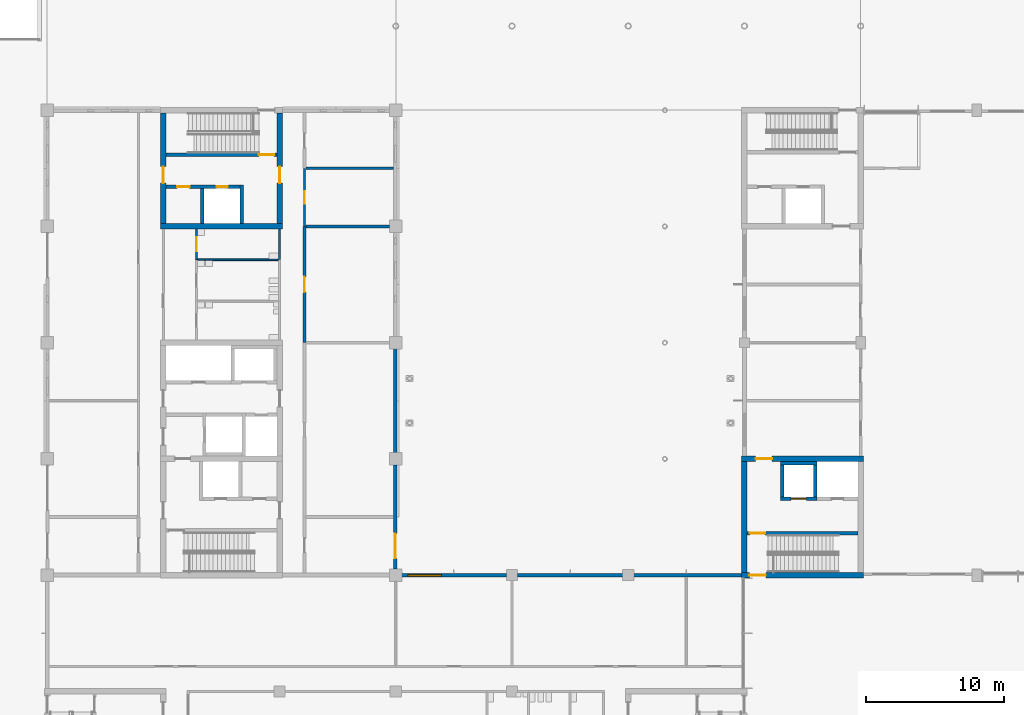
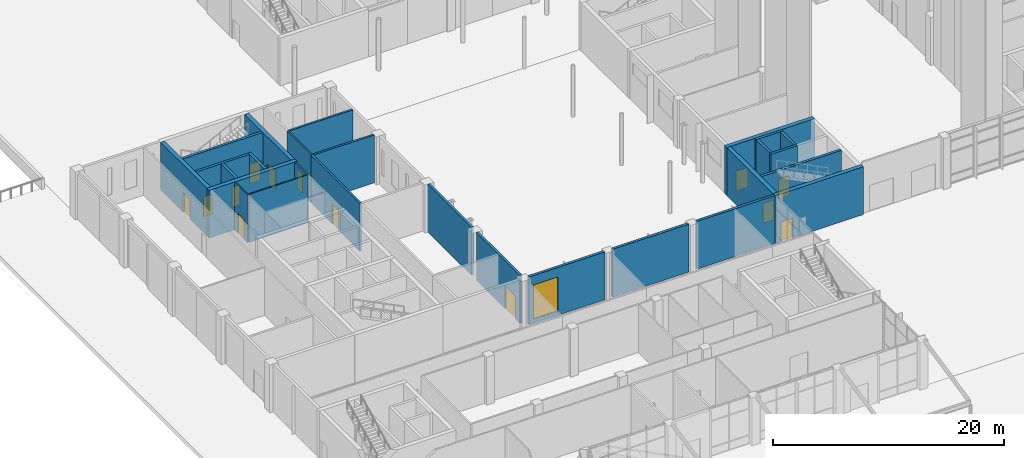
# One storey, part 36 of 76: 27 walls, 13 doors, 1 window, 14 openings.
"""IFC4 building model written with IfcOpenShell, lengths in metres."""

import ifcopenshell
import ifcopenshell.guid

model = None  # the IFC model being written
_history = None  # IfcOwnerHistory: only IFC2X3 demands one
_inside = {}  # id of a spatial element -> (the spatial element, [elements in it])
_under = {}  # id of a project, library or spatial element -> (it, [spatial elements below it])
_declared = {}  # id of a project -> (the project, [libraries it declares])
_typed = {}  # id of a type object -> (the type object, [elements of that type])
_made_of = {}  # id of a material, layer set ... -> (it, [elements and type objects made of it])


def new_model(schema):
    """Start an empty IFC model of exactly this schema.

    Asked for "IFC4X3", IfcOpenShell would pick the latest addendum, in which some entities
    have other attributes; the version numbers below select the first issue.
    IFC2X3 requires an IfcOwnerHistory on every rooted entity: one is made here for all.
    """
    global model, _history
    if schema == "IFC4X3":
        model = ifcopenshell.file(schema_version=(4, 3, 0, 0))
    else:
        model = ifcopenshell.file(schema=schema)
    _inside.clear()
    _under.clear()
    _declared.clear()
    _typed.clear()
    _made_of.clear()
    _history = None
    if model.schema == "IFC2X3":
        org = make("IfcOrganization", Name="unknown")
        user = make(
            "IfcPersonAndOrganization",
            ThePerson=make("IfcPerson", FamilyName="unknown"),
            TheOrganization=org,
        )
        app = make(
            "IfcApplication",
            ApplicationDeveloper=org,
            Version="unknown",
            ApplicationFullName="unknown",
            ApplicationIdentifier="unknown",
        )
        _history = make(
            "IfcOwnerHistory",
            OwningUser=user,
            OwningApplication=app,
            ChangeAction="ADDED",
            CreationDate=0,
        )
    return model


def make(cls, **values):
    """One entity of the class cls with the attributes given. An attribute that is None is left unset."""
    return model.create_entity(
        cls, **{name: value for name, value in values.items() if value is not None}
    )


def rooted(cls, **values):
    """An entity with a GlobalId (a new one), such as an element, a storey or a relation."""
    return make(cls, GlobalId=ifcopenshell.guid.new(), OwnerHistory=_history, **values)


def si_unit(unit_type, name, prefix=None):
    """IfcSIUnit, for example si_unit("LENGTHUNIT", "METRE", prefix="MILLI")."""
    return make("IfcSIUnit", UnitType=unit_type, Prefix=prefix, Name=name)


def assignment(units):
    """IfcUnitAssignment: the units of a project."""
    return None if units is None else make("IfcUnitAssignment", Units=units)


def point(xyz):
    """IfcCartesianPoint."""
    return None if xyz is None else make("IfcCartesianPoint", Coordinates=xyz)


def direction(xyz):
    """IfcDirection."""
    return None if xyz is None else make("IfcDirection", DirectionRatios=xyz)


def frame(location, z_axis=None, x_axis=None):
    """IfcAxis2Placement3D, a coordinate frame: its origin and axes. An axis left out is left unset."""
    return make(
        "IfcAxis2Placement3D",
        Location=point(location),
        Axis=direction(z_axis),
        RefDirection=direction(x_axis),
    )


def frame_2d(location, x_axis=None):
    """IfcAxis2Placement2D, a coordinate frame in the plane: its origin and x axis."""
    return make(
        "IfcAxis2Placement2D", Location=point(location), RefDirection=direction(x_axis)
    )


def origin():
    """The frame at (0, 0, 0) with its axes left unset."""
    return frame((0.0, 0.0, 0.0))


def place(relative_to, where):
    """IfcLocalPlacement: puts the frame where relative to a parent placement (None: the world)."""
    return make(
        "IfcLocalPlacement", PlacementRelTo=relative_to, RelativePlacement=where
    )


def context(
    kind, dimensions, precision=None, world=None, true_north=None, identifier=None
):
    """IfcGeometricRepresentationContext, for example the 3D "Model" context."""
    return make(
        "IfcGeometricRepresentationContext",
        ContextIdentifier=identifier,
        ContextType=kind,
        CoordinateSpaceDimension=dimensions,
        Precision=precision,
        WorldCoordinateSystem=world,
        TrueNorth=true_north,
    )


def subcontext(parent, identifier, kind, view, scale=None):
    """IfcGeometricRepresentationSubContext, for example "Body" below "Model"."""
    return make(
        "IfcGeometricRepresentationSubContext",
        ContextIdentifier=identifier,
        ContextType=kind,
        ParentContext=parent,
        TargetScale=scale,
        TargetView=view,
    )


def project(units=None, contexts=None):
    """IfcProject with its units and contexts."""
    return rooted(
        "IfcProject",
        Name="project",
        RepresentationContexts=contexts,
        UnitsInContext=assignment(units),
    )


def spatial(cls, under=None, at=None, **own):
    """A site, building, storey or space (cls), placed at a placement, below another one or the project."""
    s = rooted(cls, ObjectPlacement=at, **own)
    if under is not None:
        _under.setdefault(under.id(), (under, []))[1].append(s)
    return s


def profile(cls, at=None, kind="AREA", **sizes):
    """A parametric profile (cls). Its sizes go by their IFC names, for example OverallWidth=200.0."""
    return make(cls, ProfileType=kind, Position=at, **sizes)


def rectangle(**sizes):
    """IfcRectangleProfileDef."""
    return profile("IfcRectangleProfileDef", **sizes)


def extrude(swept, where, along, depth):
    """IfcExtrudedAreaSolid: the profile swept, set in the frame where, extruded along a direction by depth."""
    return make(
        "IfcExtrudedAreaSolid",
        SweptArea=swept,
        Position=where,
        ExtrudedDirection=direction(along),
        Depth=depth,
    )


def shape(context_of_items, identifier, shape_type, items):
    """IfcShapeRepresentation: the items that make up one representation, for example the "Body"."""
    return make(
        "IfcShapeRepresentation",
        ContextOfItems=context_of_items,
        RepresentationIdentifier=identifier,
        RepresentationType=shape_type,
        Items=items,
    )


def material(Name=None, Category=None):
    """IfcMaterial."""
    return make("IfcMaterial", Name=Name, Category=Category)


def layer(
    of_material, thickness, ventilated=None, Name=None, Category=None, Priority=None
):
    """IfcMaterialLayer: one layer of a wall or slab, of a material (None: an air gap)."""
    return make(
        "IfcMaterialLayer",
        Material=of_material,
        LayerThickness=thickness,
        IsVentilated=ventilated,
        Name=Name,
        Category=Category,
        Priority=Priority,
    )


def layer_set(layers, Name=None):
    """IfcMaterialLayerSet."""
    return make("IfcMaterialLayerSet", MaterialLayers=layers, LayerSetName=Name)


def made_of(thing, what):
    """Note that an element or type object is made of a material, layer set ...; save() writes the relation."""
    if what is not None:
        _made_of.setdefault(what.id(), (what, []))[1].append(thing)
    return thing


def type_object(cls, material=None, **own):
    """A type object (cls), such as IfcWallType, which elements share."""
    return made_of(rooted(cls, **own), material)


def element(
    cls,
    number,
    at=None,
    inside=None,
    cuts=None,
    type_object=None,
    material=None,
    context=None,
    identifier="Body",
    shape_type=None,
    held_by="IfcProductDefinitionShape",
    body=None,
    shapes=None,
    **own,
):
    """One element of the class cls, such as IfcWall. Its Tag is "e" and its number.

    at: its placement. inside: the storey or other place that contains it. cuts: it is an
    opening in that element (IfcRelVoidsElement). A single representation is given by context,
    identifier, shape_type and body (its items); several are given by shapes. held_by: the class
    of the entity that holds the representations. save() writes the other relations.
    """
    e = rooted(cls, Tag="e%d" % number, ObjectPlacement=at, **own)
    if body is not None:
        shapes = [shape(context, identifier, shape_type, body)]
    if shapes is not None:
        e.Representation = make(held_by, Representations=shapes)
    if inside is not None:
        _inside.setdefault(inside.id(), (inside, []))[1].append(e)
    if cuts is not None:
        rooted(
            "IfcRelVoidsElement", RelatingBuildingElement=cuts, RelatedOpeningElement=e
        )
    if type_object is not None:
        _typed.setdefault(type_object.id(), (type_object, []))[1].append(e)
    return made_of(e, material)


def fill(opening, filler):
    """IfcRelFillsElement: the door or window that sits in an opening."""
    return rooted(
        "IfcRelFillsElement",
        RelatingOpeningElement=opening,
        RelatedBuildingElement=filler,
    )


def aggregate(whole, parts):
    """IfcRelAggregates: a whole, such as a stair, and the parts it consists of."""
    return rooted("IfcRelAggregates", RelatingObject=whole, RelatedObjects=parts)


def save(model, path):
    """Write the relations noted so far, then the file.

    IfcRelAggregates (storeys below a building ...), IfcRelContainedInSpatialStructure (elements
    in a storey), IfcRelDefinesByType, IfcRelAssociatesMaterial and IfcRelDeclares: one each for
    every whole, place, type object, material and project.
    """
    for whole, parts in _under.values():
        aggregate(whole, parts)
    for where, things in _inside.values():
        rooted(
            "IfcRelContainedInSpatialStructure",
            RelatedElements=things,
            RelatingStructure=where,
        )
    for kind, things in _typed.values():
        rooted("IfcRelDefinesByType", RelatedObjects=things, RelatingType=kind)
    for what, things in _made_of.values():
        rooted("IfcRelAssociatesMaterial", RelatedObjects=things, RelatingMaterial=what)
    for by, libraries in _declared.values():
        rooted("IfcRelDeclares", RelatingContext=by, RelatedDefinitions=libraries)
    model.write(path)


model = new_model("IFC4")

# Units and contexts
model_context = context("Model", 3, precision=1e-05, world=origin(), true_north=direction((0.0, 1.0)))
body_context = subcontext(model_context, "Body", "Model", "MODEL_VIEW")
ifc_project = project(units=[si_unit("LENGTHUNIT", "METRE"), si_unit("AREAUNIT", "SQUARE_METRE"), si_unit("VOLUMEUNIT", "CUBIC_METRE"), si_unit("PLANEANGLEUNIT", "RADIAN"), si_unit("MASSUNIT", "GRAM", prefix="KILO")], contexts=[model_context])

# Site, building, storey
site_placement = place(None, origin())
site = spatial("IfcSite", under=ifc_project, at=site_placement, CompositionType="ELEMENT")
building_placement = place(site_placement, origin())
building = spatial("IfcBuilding", under=site, at=building_placement, Name="Hlaing Beacon Police Headquarters", CompositionType="ELEMENT")
storey_placement = place(building_placement, origin())
storey = spatial("IfcBuildingStorey", under=building, at=storey_placement, Name="L00", CompositionType="ELEMENT", Elevation=0.0)

# Wall, opening, door
ifc_material_1 = material(Name="Concrete C60/75", Category="concrete")
ifc_layer_1 = layer(ifc_material_1, 0.39990234375)
ifc_layer_set_1 = layer_set([ifc_layer_1], Name="Concrete C60/75")
wall_type_1 = type_object("IfcWallType", Name="Core shear wall 400", PredefinedType="SHEAR", material=ifc_layer_set_1)
wall_1_placement = place(storey_placement, frame((58.60009765625, 33.60009765625, 0.0), z_axis=(0.0, 0.0, 1.0), x_axis=(1.0, 0.0, 0.0)))
wall_1 = element("IfcWall", 1, at=wall_1_placement, inside=storey, type_object=wall_type_1, Name="Core shear wall", PredefinedType="SHEAR", context=body_context, shape_type="SweptSolid", body=[
    extrude(rectangle(XDim=8.7998046875, YDim=0.39990234375, at=frame_2d((4.39990234375, 0.0))), origin(), (0.0, 0.0, 1.0), 5.050048828125),
])
opening_1_placement = place(wall_1_placement, frame((0.550048828125, 0.0, 0.0)))
opening_1 = element("IfcOpeningElement", 2, at=opening_1_placement, cuts=wall_1, Name="Opening L00-904", PredefinedType="OPENING", context=body_context, shape_type="SweptSolid", body=[
    extrude(rectangle(XDim=1.199951171875, YDim=2.10009765625, at=frame_2d((0.60009765625, 1.050048828125))), frame((0.0, 0.2099609375, 0.0), z_axis=(0.0, -1.0, 0.0), x_axis=(1.0, 0.0, 0.0)), (0.0, 0.0, 1.0), 0.419921875),
])
ifc_material_2 = material(Name="Steel fire door leaf", Category="steel")
ifc_layer_2 = layer(ifc_material_2, 0.070068359375)
ifc_layer_set_2 = layer_set([ifc_layer_2], Name="Steel fire door leaf")
door_type_1 = type_object("IfcDoorType", Name="Steel fire door FD60 1200x2100", OperationType="SINGLE_SWING_LEFT", PredefinedType="DOOR", material=ifc_layer_set_2)
door_1_placement = place(opening_1_placement, frame((1.199951171875, 0.0, 0.0), z_axis=(0.0, 0.0, 1.0), x_axis=(-1.0, 0.0, 0.0)))
door_1 = element("IfcDoor", 3, at=door_1_placement, inside=storey, type_object=door_type_1, Name="Door Stair ST-A Exit", OperationType="SINGLE_SWING_LEFT", OverallHeight=2.10009765625, OverallWidth=1.199951171875, PredefinedType="DOOR", context=body_context, shape_type="SweptSolid", body=[
    extrude(rectangle(XDim=1.199951171875, YDim=2.10009765625, at=frame_2d((0.599853515625, 1.050048828125))), frame((0.0, 0.034912109375, 0.0), z_axis=(0.0, -1.0, 0.0), x_axis=(1.0, 0.0, 0.0)), (0.0, 0.0, 1.0), 0.070068359375),
])
fill(opening_1, door_1)

wall_2_placement = place(storey_placement, frame((58.60009765625, 42.0, 0.0), z_axis=(0.0, 0.0, 1.0), x_axis=(1.0, 0.0, 0.0)))
wall_2 = element("IfcWall", 4, at=wall_2_placement, inside=storey, type_object=wall_type_1, Name="Core shear wall", PredefinedType="SHEAR", context=body_context, shape_type="SweptSolid", body=[
    extrude(rectangle(XDim=8.7998046875, YDim=0.39990234375, at=frame_2d((4.39990234375, 0.0))), origin(), (0.0, 0.0, 1.0), 5.050048828125),
])
opening_2_placement = place(wall_2_placement, frame((1.0, 0.0, 0.0)))
opening_2 = element("IfcOpeningElement", 5, at=opening_2_placement, cuts=wall_2, Name="Opening L00-901", PredefinedType="OPENING", context=body_context, shape_type="SweptSolid", body=[
    extrude(rectangle(XDim=1.199951171875, YDim=2.10009765625, at=frame_2d((0.60009765625, 1.050048828125))), frame((0.0, 0.2099609375, 0.0), z_axis=(0.0, -1.0, 0.0), x_axis=(1.0, 0.0, 0.0)), (0.0, 0.0, 1.0), 0.419921875),
])
ifc_material_3 = material(Name="Steel fire door leaf", Category="steel")
ifc_layer_3 = layer(ifc_material_3, 0.070068359375)
ifc_layer_set_3 = layer_set([ifc_layer_3], Name="Steel fire door leaf")
door_type_2 = type_object("IfcDoorType", Name="Steel fire door FD60S 1200x2100", OperationType="SINGLE_SWING_LEFT", PredefinedType="DOOR", material=ifc_layer_set_3)
door_2_placement = place(opening_2_placement, frame((1.199951171875, 0.0, 0.0), z_axis=(0.0, 0.0, 1.0), x_axis=(-1.0, 0.0, 0.0)))
door_2 = element("IfcDoor", 6, at=door_2_placement, inside=storey, type_object=door_type_2, Name="Door Lift and Stair Lobby ST-A Entry", OperationType="SINGLE_SWING_RIGHT", OverallHeight=2.10009765625, OverallWidth=1.199951171875, PredefinedType="DOOR", context=body_context, shape_type="SweptSolid", body=[
    extrude(rectangle(XDim=1.199951171875, YDim=2.10009765625, at=frame_2d((0.599853515625, 1.050048828125))), frame((0.0, 0.034912109375, 0.0), z_axis=(0.0, -1.0, 0.0), x_axis=(1.0, 0.0, 0.0)), (0.0, 0.0, 1.0), 0.070068359375),
])
fill(opening_2, door_2)

# Walls
wall_3_placement = place(storey_placement, frame((58.800048828125, 33.800048828125, 0.0), z_axis=(0.0, 0.0, 1.0), x_axis=(0.0, 1.0, 0.0)))
element("IfcWall", 7, at=wall_3_placement, inside=storey, type_object=wall_type_1, Name="Core shear wall", PredefinedType="SHEAR", context=body_context, shape_type="SweptSolid", body=[
    extrude(rectangle(XDim=8.0, YDim=0.39990234375, at=frame_2d((4.0, 0.0))), origin(), (0.0, 0.0, 1.0), 5.050048828125),
])
wall_4_placement = place(storey_placement, frame((16.60009765625, 58.800048828125, 0.0), z_axis=(0.0, 0.0, 1.0), x_axis=(1.0, 0.0, 0.0)))
element("IfcWall", 8, at=wall_4_placement, inside=storey, type_object=wall_type_1, Name="Core shear wall", PredefinedType="SHEAR", context=body_context, shape_type="SweptSolid", body=[
    extrude(rectangle(XDim=8.7998046875, YDim=0.39990234375, at=frame_2d((4.39990234375, 0.0))), origin(), (0.0, 0.0, 1.0), 5.050048828125),
])

# Wall, opening, door
wall_5_placement = place(storey_placement, frame((16.800048828125, 59.0, 0.0), z_axis=(0.0, 0.0, 1.0), x_axis=(0.0, 1.0, 0.0)))
wall_5 = element("IfcWall", 9, at=wall_5_placement, inside=storey, type_object=wall_type_1, Name="Core shear wall", PredefinedType="SHEAR", context=body_context, shape_type="SweptSolid", body=[
    extrude(rectangle(XDim=8.0, YDim=0.39990234375, at=frame_2d((4.0, 0.0))), origin(), (0.0, 0.0, 1.0), 5.050048828125),
])
opening_3_placement = place(wall_5_placement, frame((2.925048828125, 0.0, 0.0)))
opening_3 = element("IfcOpeningElement", 10, at=opening_3_placement, cuts=wall_5, Name="Opening L00-967", PredefinedType="OPENING", context=body_context, shape_type="SweptSolid", body=[
    extrude(rectangle(XDim=1.199951171875, YDim=2.10009765625, at=frame_2d((0.60009765625, 1.050048828125))), frame((0.0, 0.2099609375, 0.0), z_axis=(0.0, -1.0, 0.0), x_axis=(1.0, 0.0, 0.0)), (0.0, 0.0, 1.0), 0.419921875),
])
door_3_placement = place(opening_3_placement, frame((1.199951171875, 0.0, 0.0), z_axis=(0.0, 0.0, 1.0), x_axis=(-1.0, 0.0, 0.0)))
door_3 = element("IfcDoor", 11, at=door_3_placement, inside=storey, type_object=door_type_2, Name="Door Stair Lobby ST-P Entry", OperationType="SINGLE_SWING_LEFT", OverallHeight=2.10009765625, OverallWidth=1.199951171875, PredefinedType="DOOR", context=body_context, shape_type="SweptSolid", body=[
    extrude(rectangle(XDim=1.199951171875, YDim=2.10009765625, at=frame_2d((0.599853515625, 1.050048828125))), frame((0.0, 0.034912109375, 0.0), z_axis=(0.0, -1.0, 0.0), x_axis=(1.0, 0.0, 0.0)), (0.0, 0.0, 1.0), 0.070068359375),
])
fill(opening_3, door_3)

wall_6_placement = place(storey_placement, frame((25.199951171875, 59.0, 0.0), z_axis=(0.0, 0.0, 1.0), x_axis=(0.0, 1.0, 0.0)))
wall_6 = element("IfcWall", 12, at=wall_6_placement, inside=storey, type_object=wall_type_1, Name="Core shear wall", PredefinedType="SHEAR", context=body_context, shape_type="SweptSolid", body=[
    extrude(rectangle(XDim=8.0, YDim=0.39990234375, at=frame_2d((4.0, 0.0))), origin(), (0.0, 0.0, 1.0), 5.050048828125),
])
opening_4_placement = place(wall_6_placement, frame((2.925048828125, 0.0, 0.0)))
opening_4 = element("IfcOpeningElement", 13, at=opening_4_placement, cuts=wall_6, Name="Opening L00-968", PredefinedType="OPENING", context=body_context, shape_type="SweptSolid", body=[
    extrude(rectangle(XDim=1.199951171875, YDim=2.10009765625, at=frame_2d((0.60009765625, 1.050048828125))), frame((0.0, 0.2099609375, 0.0), z_axis=(0.0, -1.0, 0.0), x_axis=(1.0, 0.0, 0.0)), (0.0, 0.0, 1.0), 0.419921875),
])
door_4_placement = place(opening_4_placement, origin())
door_4 = element("IfcDoor", 14, at=door_4_placement, inside=storey, type_object=door_type_2, Name="Door Stair Lobby ST-P Entry", OperationType="SINGLE_SWING_RIGHT", OverallHeight=2.10009765625, OverallWidth=1.199951171875, PredefinedType="DOOR", context=body_context, shape_type="SweptSolid", body=[
    extrude(rectangle(XDim=1.199951171875, YDim=2.10009765625, at=frame_2d((0.60009765625, 1.050048828125))), frame((0.0, 0.03515625, 0.0), z_axis=(0.0, -1.0, 0.0), x_axis=(1.0, 0.0, 0.0)), (0.0, 0.0, 1.0), 0.070068359375),
])
fill(opening_4, door_4)

ifc_material_4 = material(Name="Gypsum board partition")
ifc_layer_4 = layer(ifc_material_4, 0.14990234375)
ifc_layer_set_4 = layer_set([ifc_layer_4], Name="Gypsum board partition")
wall_type_2 = type_object("IfcWallType", Name="Corridor wall EI 30 150", PredefinedType="PARTITIONING", material=ifc_layer_set_4)
wall_7_placement = place(storey_placement, frame((27.0, 58.800048828125, 0.0), z_axis=(0.0, 0.0, 1.0), x_axis=(0.0, 1.0, 0.0)))
wall_7 = element("IfcWall", 15, at=wall_7_placement, inside=storey, type_object=wall_type_2, Name="Corridor wall EI 30 150", PredefinedType="PARTITIONING", context=body_context, shape_type="SweptSolid", body=[
    extrude(rectangle(XDim=4.199951171875, YDim=0.14990234375, at=frame_2d((2.10009765625, 0.0))), origin(), (0.0, 0.0, 1.0), 5.050048828125),
])
opening_5_placement = place(wall_7_placement, frame((1.64990234375, 0.0, 0.0)))
opening_5 = element("IfcOpeningElement", 16, at=opening_5_placement, cuts=wall_7, Name="Opening L00-067", PredefinedType="OPENING", context=body_context, shape_type="SweptSolid", body=[
    extrude(rectangle(XDim=0.89990234375, YDim=2.10009765625, at=frame_2d((0.449951171875, 1.050048828125))), frame((0.0, 0.0849609375, 0.0), z_axis=(0.0, -1.0, 0.0), x_axis=(1.0, 0.0, 0.0)), (0.0, 0.0, 1.0), 0.169921875),
])
ifc_material_5 = material(Name="Hardwood door leaf", Category="wood")
ifc_layer_5 = layer(ifc_material_5, 0.050048828125)
ifc_layer_set_5 = layer_set([ifc_layer_5], Name="Hardwood door leaf")
door_type_3 = type_object("IfcDoorType", Name="Fire door FD30S 900x2100", OperationType="SINGLE_SWING_LEFT", PredefinedType="DOOR", material=ifc_layer_set_5)
door_5_placement = place(opening_5_placement, frame((0.89990234375, 0.0, 0.0), z_axis=(0.0, 0.0, 1.0), x_axis=(-1.0, 0.0, 0.0)))
door_5 = element("IfcDoor", 17, at=door_5_placement, inside=storey, type_object=door_type_3, Name="Door Exhibit Cold Store", OperationType="SINGLE_SWING_LEFT", OverallHeight=2.10009765625, OverallWidth=0.89990234375, PredefinedType="DOOR", context=body_context, shape_type="SweptSolid", body=[
    extrude(rectangle(XDim=0.89990234375, YDim=2.10009765625, at=frame_2d((0.449951171875, 1.050048828125))), frame((0.0, 0.025146484375, 0.0), z_axis=(0.0, -1.0, 0.0), x_axis=(1.0, 0.0, 0.0)), (0.0, 0.0, 1.0), 0.050048828125),
])
fill(opening_5, door_5)

# Wall
wall_8_placement = place(storey_placement, frame((25.199951171875, 56.39990234375, 0.0), z_axis=(0.0, 0.0, 1.0), x_axis=(0.0, 1.0, 0.0)))
element("IfcWall", 18, at=wall_8_placement, inside=storey, type_object=wall_type_2, Name="Corridor wall EI 30 150", PredefinedType="PARTITIONING", context=body_context, shape_type="SweptSolid", body=[
    extrude(rectangle(XDim=2.2001953125, YDim=0.14990234375, at=frame_2d((1.10009765625, 0.0))), origin(), (0.0, 0.0, 1.0), 5.050048828125),
])

# Wall, opening, door
ifc_material_6 = material(Name="Concrete blockwork 7.5 N/mm2", Category="masonry")
ifc_layer_6 = layer(ifc_material_6, 0.199951171875)
ifc_layer_set_6 = layer_set([ifc_layer_6], Name="Concrete blockwork 7.5 N/mm2")
wall_type_3 = type_object("IfcWallType", Name="Laboratory wall EI 60 200", PredefinedType="PARTITIONING", material=ifc_layer_set_6)
wall_9_placement = place(storey_placement, frame((27.0, 50.39990234375, 0.0), z_axis=(0.0, 0.0, 1.0), x_axis=(0.0, 1.0, 0.0)))
wall_9 = element("IfcWall", 19, at=wall_9_placement, inside=storey, type_object=wall_type_3, Name="Laboratory wall EI 60 200", PredefinedType="PARTITIONING", context=body_context, shape_type="SweptSolid", body=[
    extrude(rectangle(XDim=8.400146484375, YDim=0.199951171875, at=frame_2d((4.2001953125, 0.0))), origin(), (0.0, 0.0, 1.0), 5.050048828125),
])
opening_6_placement = place(wall_9_placement, frame((3.64990234375, 0.0, 0.0)))
opening_6 = element("IfcOpeningElement", 20, at=opening_6_placement, cuts=wall_9, Name="Opening L00-066", PredefinedType="OPENING", context=body_context, shape_type="SweptSolid", body=[
    extrude(rectangle(XDim=1.10009765625, YDim=2.10009765625, at=frame_2d((0.550048828125, 1.050048828125))), frame((0.0, 0.10986328125, 0.0), z_axis=(0.0, -1.0, 0.0), x_axis=(1.0, 0.0, 0.0)), (0.0, 0.0, 1.0), 0.219970703125),
])
ifc_material_7 = material(Name="Hardwood door leaf", Category="wood")
ifc_layer_7 = layer(ifc_material_7, 0.050048828125)
ifc_layer_set_7 = layer_set([ifc_layer_7], Name="Hardwood door leaf")
door_type_4 = type_object("IfcDoorType", Name="Fire door FD30 1100x2100", OperationType="SINGLE_SWING_LEFT", PredefinedType="DOOR", material=ifc_layer_set_7)
door_6_placement = place(opening_6_placement, frame((1.10009765625, 0.0, 0.0), z_axis=(0.0, 0.0, 1.0), x_axis=(-1.0, 0.0, 0.0)))
door_6 = element("IfcDoor", 21, at=door_6_placement, inside=storey, type_object=door_type_4, Name="Door Specimen Intake Laboratory", OperationType="SINGLE_SWING_RIGHT", OverallHeight=2.10009765625, OverallWidth=1.10009765625, PredefinedType="DOOR", context=body_context, shape_type="SweptSolid", body=[
    extrude(rectangle(XDim=1.10009765625, YDim=2.10009765625, at=frame_2d((0.550048828125, 1.050048828125))), frame((0.0, 0.025146484375, 0.0), z_axis=(0.0, -1.0, 0.0), x_axis=(1.0, 0.0, 0.0)), (0.0, 0.0, 1.0), 0.050048828125),
])
fill(opening_6, door_6)

# Walls
wall_10_placement = place(storey_placement, frame((27.10009765625, 58.800048828125, 0.0), z_axis=(0.0, 0.0, 1.0), x_axis=(1.0, 0.0, 0.0)))
element("IfcWall", 22, at=wall_10_placement, inside=storey, type_object=wall_type_3, Name="Laboratory wall EI 60 200", PredefinedType="PARTITIONING", context=body_context, shape_type="SweptSolid", body=[
    extrude(rectangle(XDim=6.0498046875, YDim=0.199951171875, at=frame_2d((3.02490234375, 0.0))), origin(), (0.0, 0.0, 1.0), 5.050048828125),
])
wall_11_placement = place(storey_placement, frame((27.10009765625, 63.0, 0.0), z_axis=(0.0, 0.0, 1.0), x_axis=(1.0, 0.0, 0.0)))
element("IfcWall", 23, at=wall_11_placement, inside=storey, type_object=wall_type_3, Name="Laboratory wall EI 60 200", PredefinedType="PARTITIONING", context=body_context, shape_type="SweptSolid", body=[
    extrude(rectangle(XDim=6.349853515625, YDim=0.199951171875, at=frame_2d((3.1748046875, 0.0))), origin(), (0.0, 0.0, 1.0), 5.050048828125),
])
ifc_material_8 = material(Name="Gypsum board partition")
ifc_layer_8 = layer(ifc_material_8, 0.125)
ifc_layer_set_8 = layer_set([ifc_layer_8], Name="Gypsum board partition")
wall_type_4 = type_object("IfcWallType", Name="Partition 125", PredefinedType="PARTITIONING", material=ifc_layer_set_8)
wall_12_placement = place(storey_placement, frame((19.261962890625, 56.39990234375, 0.0), z_axis=(0.0, 0.0, 1.0), x_axis=(1.0, 0.0, 0.0)))
element("IfcWall", 24, at=wall_12_placement, inside=storey, type_object=wall_type_4, Name="Partition 125", PredefinedType="PARTITIONING", context=body_context, shape_type="SweptSolid", body=[
    extrude(rectangle(XDim=5.863037109375, YDim=0.125, at=frame_2d((2.931640625, 0.0))), origin(), (0.0, 0.0, 1.0), 5.050048828125),
])

# Wall, opening, door
wall_13_placement = place(storey_placement, frame((19.199951171875, 56.39990234375, 0.0), z_axis=(0.0, 0.0, 1.0), x_axis=(0.0, 1.0, 0.0)))
wall_13 = element("IfcWall", 25, at=wall_13_placement, inside=storey, type_object=wall_type_4, Name="Partition 125", PredefinedType="PARTITIONING", context=body_context, shape_type="SweptSolid", body=[
    extrude(rectangle(XDim=2.2001953125, YDim=0.125, at=frame_2d((1.10009765625, 0.0))), origin(), (0.0, 0.0, 1.0), 5.050048828125),
])
opening_7_placement = place(wall_13_placement, frame((0.60009765625, 0.0, 0.0)))
opening_7 = element("IfcOpeningElement", 26, at=opening_7_placement, cuts=wall_13, Name="Opening L00-069", PredefinedType="OPENING", context=body_context, shape_type="SweptSolid", body=[
    extrude(rectangle(XDim=1.0, YDim=2.10009765625, at=frame_2d((0.5, 1.050048828125))), frame((0.0, 0.072509765625, 0.0), z_axis=(0.0, -1.0, 0.0), x_axis=(1.0, 0.0, 0.0)), (0.0, 0.0, 1.0), 0.14501953125),
])
ifc_material_9 = material(Name="Hardwood door leaf", Category="wood")
ifc_layer_9 = layer(ifc_material_9, 0.0400390625)
ifc_layer_set_9 = layer_set([ifc_layer_9], Name="Hardwood door leaf")
door_type_5 = type_object("IfcDoorType", Name="Door 1000x2100", OperationType="SINGLE_SWING_LEFT", PredefinedType="DOOR", material=ifc_layer_set_9)
door_7_placement = place(opening_7_placement, frame((1.0, 0.0, 0.0), z_axis=(0.0, 0.0, 1.0), x_axis=(-1.0, 0.0, 0.0)))
door_7 = element("IfcDoor", 27, at=door_7_placement, inside=storey, type_object=door_type_5, Name="Door Accessible WC", OperationType="SINGLE_SWING_LEFT", OverallHeight=2.10009765625, OverallWidth=1.0, PredefinedType="DOOR", context=body_context, shape_type="SweptSolid", body=[
    extrude(rectangle(XDim=1.0, YDim=2.10009765625, at=frame_2d((0.5, 1.050048828125))), frame((0.0, 0.02001953125, 0.0), z_axis=(0.0, -1.0, 0.0), x_axis=(1.0, 0.0, 0.0)), (0.0, 0.0, 1.0), 0.0400390625),
])
fill(opening_7, door_7)

# Walls
ifc_material_10 = material(Name="Concrete C40/50 precast ribbed cladding", Category="concrete")
ifc_layer_10 = layer(ifc_material_10, 0.25)
ifc_layer_set_10 = layer_set([ifc_layer_10], Name="Concrete C40/50 precast ribbed cladding")
wall_type_5 = type_object("IfcWallType", Name="Precast ribbed wall 250", PredefinedType="SOLIDWALL", material=ifc_layer_set_10)
wall_14_placement = place(storey_placement, frame((58.60009765625, 33.574951171875, 0.0), z_axis=(0.0, 0.0, 1.0), x_axis=(-1.0, 0.0, 0.0)))
element("IfcWall", 28, at=wall_14_placement, inside=storey, type_object=wall_type_5, Name="External wall L00 N001", PredefinedType="SOLIDWALL", context=body_context, shape_type="SweptSolid", body=[
    extrude(rectangle(XDim=7.820068359375, YDim=0.25, at=frame_2d((3.91015625, 0.0))), origin(), (0.0, 0.0, 1.0), 5.050048828125),
])
wall_15_placement = place(storey_placement, frame((50.02001953125, 33.574951171875, 0.0), z_axis=(0.0, 0.0, 1.0), x_axis=(-1.0, 0.0, 0.0)))
element("IfcWall", 29, at=wall_15_placement, inside=storey, type_object=wall_type_5, Name="External wall L00 N002", PredefinedType="SOLIDWALL", context=body_context, shape_type="SweptSolid", body=[
    extrude(rectangle(XDim=7.64013671875, YDim=0.25, at=frame_2d((3.820068359375, 0.0))), origin(), (0.0, 0.0, 1.0), 5.050048828125),
])

# Wall, opening, window
wall_16_placement = place(storey_placement, frame((41.6201171875, 33.574951171875, 0.0), z_axis=(0.0, 0.0, 1.0), x_axis=(-1.0, 0.0, 0.0)))
wall_16 = element("IfcWall", 30, at=wall_16_placement, inside=storey, type_object=wall_type_5, Name="External wall L00 N003", PredefinedType="SOLIDWALL", context=body_context, shape_type="SweptSolid", body=[
    extrude(rectangle(XDim=7.590087890625, YDim=0.25, at=frame_2d((3.794921875, 0.0))), origin(), (0.0, 0.0, 1.0), 5.050048828125),
])
opening_8_placement = place(wall_16_placement, frame((4.719970703125, 0.0, 0.449951171875)))
opening_8 = element("IfcOpeningElement", 31, at=opening_8_placement, cuts=wall_16, Name="Opening WN1", PredefinedType="OPENING", context=body_context, shape_type="SweptSolid", body=[
    extrude(rectangle(XDim=2.39990234375, YDim=3.60009765625, at=frame_2d((1.199951171875, 1.800048828125))), frame((0.0, 0.135009765625, 0.0), z_axis=(0.0, -1.0, 0.0), x_axis=(1.0, 0.0, 0.0)), (0.0, 0.0, 1.0), 0.27001953125),
])
ifc_material_11 = material(Name="Aluminium frame with solar control glazing", Category="aluminium")
window_type = type_object("IfcWindowType", Name="Shopfront window 2400x3600 frame 100", PartitioningType="SINGLE_PANEL", PredefinedType="WINDOW", material=ifc_material_11)
window_placement = place(opening_8_placement, origin())
window = element("IfcWindow", 32, at=window_placement, inside=storey, type_object=window_type, Name="Window L00 WB", OverallHeight=3.60009765625, OverallWidth=2.39990234375, PartitioningType="SINGLE_PANEL", PredefinedType="WINDOW", context=body_context, shape_type="SweptSolid", body=[
    extrude(rectangle(XDim=2.39990234375, YDim=3.60009765625, at=frame_2d((1.199951171875, 1.800048828125))), frame((0.0, 0.050048828125, 0.0), z_axis=(0.0, -1.0, 0.0), x_axis=(1.0, 0.0, 0.0)), (0.0, 0.0, 1.0), 0.10009765625),
])
fill(opening_8, window)

# Wall, opening, door
ifc_material_12 = material(Name="Fibre cement ribbed cladding on insulated frame")
ifc_layer_11 = layer(ifc_material_12, 0.22509765625)
ifc_layer_set_11 = layer_set([ifc_layer_11], Name="Fibre cement ribbed cladding on insulated frame")
wall_type_6 = type_object("IfcWallType", Name="Ribbed fibre-cement clad wall 225", PredefinedType="SOLIDWALL", material=ifc_layer_set_11)
wall_17_placement = place(storey_placement, frame((33.5625, 34.030029296875, 0.0), z_axis=(0.0, 0.0, 1.0), x_axis=(0.0, 1.0, 0.0)))
wall_17 = element("IfcWall", 33, at=wall_17_placement, inside=storey, type_object=wall_type_6, Name="External wall L00 E004", PredefinedType="SOLIDWALL", context=body_context, shape_type="SweptSolid", body=[
    extrude(rectangle(XDim=7.5400390625, YDim=0.22509765625, at=frame_2d((3.77001953125, 0.0))), origin(), (0.0, 0.0, 1.0), 5.050048828125),
])
opening_9_placement = place(wall_17_placement, frame((0.77001953125, 0.0, 0.0)))
opening_9 = element("IfcOpeningElement", 34, at=opening_9_placement, cuts=wall_17, Name="Opening L00-801", PredefinedType="OPENING", context=body_context, shape_type="SweptSolid", body=[
    extrude(rectangle(XDim=1.800048828125, YDim=2.39990234375, at=frame_2d((0.89990234375, 1.199951171875))), frame((0.0, 0.12255859375, 0.0), z_axis=(0.0, -1.0, 0.0), x_axis=(1.0, 0.0, 0.0)), (0.0, 0.0, 1.0), 0.2451171875),
])
ifc_material_13 = material(Name="Aluminium framed glazed door", Category="aluminium")
door_type_6 = type_object("IfcDoorType", Name="Entrance door 1800x2400 double", OperationType="DOUBLE_DOOR_DOUBLE_SWING", PredefinedType="DOOR", material=ifc_material_13)
door_8_placement = place(opening_9_placement, frame((1.800048828125, 0.0, 0.0), z_axis=(0.0, 0.0, 1.0), x_axis=(-1.0, 0.0, 0.0)))
door_8 = element("IfcDoor", 35, at=door_8_placement, inside=storey, type_object=door_type_6, Name="Door Forensic Laboratory Reception", OperationType="DOUBLE_DOOR_DOUBLE_SWING", OverallHeight=2.39990234375, OverallWidth=1.800048828125, PredefinedType="DOOR", context=body_context, shape_type="SweptSolid", body=[
    extrude(rectangle(XDim=1.800048828125, YDim=2.39990234375, at=frame_2d((0.900146484375, 1.199951171875))), frame((0.0, 0.025146484375, 0.0), z_axis=(0.0, -1.0, 0.0), x_axis=(1.0, 0.0, 0.0)), (0.0, 0.0, 1.0), 0.050048828125),
])
fill(opening_9, door_8)

# Wall
wall_18_placement = place(storey_placement, frame((33.5625, 42.429931640625, 0.0), z_axis=(0.0, 0.0, 1.0), x_axis=(0.0, 1.0, 0.0)))
element("IfcWall", 36, at=wall_18_placement, inside=storey, type_object=wall_type_6, Name="External wall L00 E005", PredefinedType="SOLIDWALL", context=body_context, shape_type="SweptSolid", body=[
    extrude(rectangle(XDim=7.5400390625, YDim=0.22509765625, at=frame_2d((3.77001953125, 0.0))), origin(), (0.0, 0.0, 1.0), 5.050048828125),
])

# Wall, opening, door
ifc_material_14 = material(Name="Concrete C40/50", Category="concrete")
ifc_layer_12 = layer(ifc_material_14, 0.25)
ifc_layer_set_12 = layer_set([ifc_layer_12], Name="Concrete C40/50")
wall_type_7 = type_object("IfcWallType", Name="Shaft wall 250", PredefinedType="SOLIDWALL", material=ifc_layer_set_12)
wall_19_placement = place(storey_placement, frame((59.0, 36.625, 0.0), z_axis=(0.0, 0.0, 1.0), x_axis=(1.0, 0.0, 0.0)))
wall_19 = element("IfcWall", 37, at=wall_19_placement, inside=storey, type_object=wall_type_7, Name="Stair enclosure wall", PredefinedType="SOLIDWALL", context=body_context, shape_type="SweptSolid", body=[
    extrude(rectangle(XDim=8.0, YDim=0.25, at=frame_2d((4.0, 0.0))), origin(), (0.0, 0.0, 1.0), 5.050048828125),
])
opening_10_placement = place(wall_19_placement, frame((0.199951171875, 0.0, 0.0)))
opening_10 = element("IfcOpeningElement", 38, at=opening_10_placement, cuts=wall_19, Name="Opening L00-903", PredefinedType="OPENING", context=body_context, shape_type="SweptSolid", body=[
    extrude(rectangle(XDim=1.10009765625, YDim=2.10009765625, at=frame_2d((0.550048828125, 1.050048828125))), frame((0.0, 0.135009765625, 0.0), z_axis=(0.0, -1.0, 0.0), x_axis=(1.0, 0.0, 0.0)), (0.0, 0.0, 1.0), 0.27001953125),
])
ifc_material_15 = material(Name="Steel fire door leaf", Category="steel")
ifc_layer_13 = layer(ifc_material_15, 0.070068359375)
ifc_layer_set_13 = layer_set([ifc_layer_13], Name="Steel fire door leaf")
door_type_7 = type_object("IfcDoorType", Name="Steel fire door FD60 1100x2100", OperationType="SINGLE_SWING_LEFT", PredefinedType="DOOR", material=ifc_layer_set_13)
door_9_placement = place(opening_10_placement, frame((1.10009765625, 0.0, 0.0), z_axis=(0.0, 0.0, 1.0), x_axis=(-1.0, 0.0, 0.0)))
door_9 = element("IfcDoor", 39, at=door_9_placement, inside=storey, type_object=door_type_7, Name="Door Stair ST-A", OperationType="SINGLE_SWING_LEFT", OverallHeight=2.10009765625, OverallWidth=1.10009765625, PredefinedType="DOOR", context=body_context, shape_type="SweptSolid", body=[
    extrude(rectangle(XDim=1.10009765625, YDim=2.10009765625, at=frame_2d((0.550048828125, 1.050048828125))), frame((0.0, 0.034912109375, 0.0), z_axis=(0.0, -1.0, 0.0), x_axis=(1.0, 0.0, 0.0)), (0.0, 0.0, 1.0), 0.070068359375),
])
fill(opening_10, door_9)

wall_20_placement = place(storey_placement, frame((25.0, 63.97509765625, 0.0), z_axis=(0.0, 0.0, 1.0), x_axis=(-1.0, 0.0, 0.0)))
wall_20 = element("IfcWall", 40, at=wall_20_placement, inside=storey, type_object=wall_type_7, Name="Stair enclosure wall", PredefinedType="SOLIDWALL", context=body_context, shape_type="SweptSolid", body=[
    extrude(rectangle(XDim=8.0, YDim=0.25, at=frame_2d((4.0, 0.0))), origin(), (0.0, 0.0, 1.0), 5.050048828125),
])
opening_11_placement = place(wall_20_placement, frame((0.199951171875, 0.0, 0.0)))
opening_11 = element("IfcOpeningElement", 41, at=opening_11_placement, cuts=wall_20, Name="Opening L00-970", PredefinedType="OPENING", context=body_context, shape_type="SweptSolid", body=[
    extrude(rectangle(XDim=1.10009765625, YDim=2.10009765625, at=frame_2d((0.550048828125, 1.050048828125))), frame((0.0, 0.135009765625, 0.0), z_axis=(0.0, -1.0, 0.0), x_axis=(1.0, 0.0, 0.0)), (0.0, 0.0, 1.0), 0.27001953125),
])
door_10_placement = place(opening_11_placement, frame((1.10009765625, 0.0, 0.0), z_axis=(0.0, 0.0, 1.0), x_axis=(-1.0, 0.0, 0.0)))
door_10 = element("IfcDoor", 42, at=door_10_placement, inside=storey, type_object=door_type_7, Name="Door Stair ST-P", OperationType="SINGLE_SWING_LEFT", OverallHeight=2.10009765625, OverallWidth=1.10009765625, PredefinedType="DOOR", context=body_context, shape_type="SweptSolid", body=[
    extrude(rectangle(XDim=1.10009765625, YDim=2.10009765625, at=frame_2d((0.550048828125, 1.050048828125))), frame((0.0, 0.034912109375, 0.0), z_axis=(0.0, -1.0, 0.0), x_axis=(1.0, 0.0, 0.0)), (0.0, 0.0, 1.0), 0.070068359375),
])
fill(opening_11, door_10)

# Wall
wall_21_placement = place(storey_placement, frame((22.47509765625, 61.800048828125, 0.0), z_axis=(0.0, 0.0, 1.0), x_axis=(0.0, -1.0, 0.0)))
element("IfcWall", 43, at=wall_21_placement, inside=storey, type_object=wall_type_7, Name="Lobby wall", PredefinedType="SOLIDWALL", context=body_context, shape_type="SweptSolid", body=[
    extrude(rectangle(XDim=2.800048828125, YDim=0.25, at=frame_2d((1.39990234375, 0.0))), origin(), (0.0, 0.0, 1.0), 5.050048828125),
])

# Wall, openings, doors
wall_22_placement = place(storey_placement, frame((22.35009765625, 61.675048828125, 0.0), z_axis=(0.0, 0.0, 1.0), x_axis=(-1.0, 0.0, 0.0)))
wall_22 = element("IfcWall", 44, at=wall_22_placement, inside=storey, type_object=wall_type_7, Name="Lobby wall", PredefinedType="SOLIDWALL", context=body_context, shape_type="SweptSolid", body=[
    extrude(rectangle(XDim=5.35009765625, YDim=0.25, at=frame_2d((2.675048828125, 0.0))), origin(), (0.0, 0.0, 1.0), 5.050048828125),
])
opening_12_placement = place(wall_22_placement, frame((3.64990234375, 0.0, 0.0)))
opening_12 = element("IfcOpeningElement", 45, at=opening_12_placement, cuts=wall_22, Name="Opening L00-966", PredefinedType="OPENING", context=body_context, shape_type="SweptSolid", body=[
    extrude(rectangle(XDim=0.89990234375, YDim=2.10009765625, at=frame_2d((0.449951171875, 1.050048828125))), frame((0.0, 0.135009765625, 0.0), z_axis=(0.0, -1.0, 0.0), x_axis=(1.0, 0.0, 0.0)), (0.0, 0.0, 1.0), 0.27001953125),
])
opening_13_placement = place(wall_22_placement, frame((0.89990234375, 0.0, 0.0)))
opening_13 = element("IfcOpeningElement", 46, at=opening_13_placement, cuts=wall_22, Name="Opening L00-969", PredefinedType="OPENING", context=body_context, shape_type="SweptSolid", body=[
    extrude(rectangle(XDim=0.800048828125, YDim=2.10009765625, at=frame_2d((0.39990234375, 1.050048828125))), frame((0.0, 0.135009765625, 0.0), z_axis=(0.0, -1.0, 0.0), x_axis=(1.0, 0.0, 0.0)), (0.0, 0.0, 1.0), 0.27001953125),
])
ifc_material_16 = material(Name="Steel fire door leaf", Category="steel")
ifc_layer_14 = layer(ifc_material_16, 0.070068359375)
ifc_layer_set_14 = layer_set([ifc_layer_14], Name="Steel fire door leaf")
door_type_8 = type_object("IfcDoorType", Name="Steel fire door FD60 800x2100", OperationType="SINGLE_SWING_LEFT", PredefinedType="DOOR", material=ifc_layer_set_14)
door_11_placement = place(opening_13_placement, origin())
door_11 = element("IfcDoor", 47, at=door_11_placement, inside=storey, type_object=door_type_8, Name="Door Services Riser", OperationType="SINGLE_SWING_RIGHT", OverallHeight=2.10009765625, OverallWidth=0.800048828125, PredefinedType="DOOR", context=body_context, shape_type="SweptSolid", body=[
    extrude(rectangle(XDim=0.800048828125, YDim=2.10009765625, at=frame_2d((0.39990234375, 1.050048828125))), frame((0.0, 0.03515625, 0.0), z_axis=(0.0, -1.0, 0.0), x_axis=(1.0, 0.0, 0.0)), (0.0, 0.0, 1.0), 0.070068359375),
])
fill(opening_13, door_11)
ifc_material_17 = material(Name="Steel fire door leaf", Category="steel")
ifc_layer_15 = layer(ifc_material_17, 0.070068359375)
ifc_layer_set_15 = layer_set([ifc_layer_15], Name="Steel fire door leaf")
door_type_9 = type_object("IfcDoorType", Name="Steel fire door FD60 900x2100", OperationType="SINGLE_SWING_LEFT", PredefinedType="DOOR", material=ifc_layer_set_15)
door_12_placement = place(opening_12_placement, origin())
door_12 = element("IfcDoor", 48, at=door_12_placement, inside=storey, type_object=door_type_9, Name="Door Cleaners' Store", OperationType="SINGLE_SWING_LEFT", OverallHeight=2.10009765625, OverallWidth=0.89990234375, PredefinedType="DOOR", context=body_context, shape_type="SweptSolid", body=[
    extrude(rectangle(XDim=0.89990234375, YDim=2.10009765625, at=frame_2d((0.449951171875, 1.050048828125))), frame((0.0, 0.03515625, 0.0), z_axis=(0.0, -1.0, 0.0), x_axis=(1.0, 0.0, 0.0)), (0.0, 0.0, 1.0), 0.070068359375),
])
fill(opening_12, door_12)

# Walls
wall_23_placement = place(storey_placement, frame((19.625, 61.550048828125, 0.0), z_axis=(0.0, 0.0, 1.0), x_axis=(0.0, -1.0, 0.0)))
element("IfcWall", 49, at=wall_23_placement, inside=storey, type_object=wall_type_7, Name="Riser wall", PredefinedType="SOLIDWALL", context=body_context, shape_type="SweptSolid", body=[
    extrude(rectangle(XDim=2.550048828125, YDim=0.25, at=frame_2d((1.27490234375, 0.0))), origin(), (0.0, 0.0, 1.0), 5.050048828125),
])
wall_24_placement = place(storey_placement, frame((63.925048828125, 39.25, 0.0), z_axis=(0.0, 0.0, 1.0), x_axis=(0.0, 1.0, 0.0)))
element("IfcWall", 50, at=wall_24_placement, inside=storey, type_object=wall_type_7, Name="Lift shaft wall PL1", PredefinedType="SOLIDWALL", context=body_context, shape_type="SweptSolid", body=[
    extrude(rectangle(XDim=2.300048828125, YDim=0.25, at=frame_2d((1.14990234375, 0.0))), origin(), (0.0, 0.0, 1.0), 5.050048828125),
])
wall_25_placement = place(storey_placement, frame((61.39990234375, 41.675048828125, 0.0), z_axis=(0.0, 0.0, 1.0), x_axis=(1.0, 0.0, 0.0)))
element("IfcWall", 51, at=wall_25_placement, inside=storey, type_object=wall_type_7, Name="Lift shaft wall PL1", PredefinedType="SOLIDWALL", context=body_context, shape_type="SweptSolid", body=[
    extrude(rectangle(XDim=2.650146484375, YDim=0.25, at=frame_2d((1.3251953125, 0.0))), origin(), (0.0, 0.0, 1.0), 5.050048828125),
])

# Wall, opening, door
wall_26_placement = place(storey_placement, frame((61.39990234375, 39.125, 0.0), z_axis=(0.0, 0.0, 1.0), x_axis=(1.0, 0.0, 0.0)))
wall_26 = element("IfcWall", 52, at=wall_26_placement, inside=storey, type_object=wall_type_7, Name="Lift shaft wall PL1", PredefinedType="SOLIDWALL", context=body_context, shape_type="SweptSolid", body=[
    extrude(rectangle(XDim=2.650146484375, YDim=0.25, at=frame_2d((1.3251953125, 0.0))), origin(), (0.0, 0.0, 1.0), 5.050048828125),
])
opening_14_placement = place(wall_26_placement, frame((0.77490234375, 0.0, 0.0)))
opening_14 = element("IfcOpeningElement", 53, at=opening_14_placement, cuts=wall_26, Name="Opening LD-PL1-L00", PredefinedType="OPENING", context=body_context, shape_type="SweptSolid", body=[
    extrude(rectangle(XDim=1.10009765625, YDim=2.10009765625, at=frame_2d((0.550048828125, 1.050048828125))), frame((0.0, 0.135009765625, 0.0), z_axis=(0.0, -1.0, 0.0), x_axis=(1.0, 0.0, 0.0)), (0.0, 0.0, 1.0), 0.27001953125),
])
ifc_material_18 = material(Name="Stainless steel lift landing door", Category="steel")
ifc_layer_16 = layer(ifc_material_18, 0.06005859375)
ifc_layer_set_16 = layer_set([ifc_layer_16], Name="Stainless steel lift landing door")
door_type_10 = type_object("IfcDoorType", Name="Lift landing door 1100x2100", OperationType="DOUBLE_DOOR_SLIDING", PredefinedType="DOOR", material=ifc_layer_set_16)
door_13_placement = place(opening_14_placement, origin())
door_13 = element("IfcDoor", 54, at=door_13_placement, inside=storey, type_object=door_type_10, Name="Landing door PL1 L00", OperationType="DOUBLE_DOOR_SLIDING", OverallHeight=2.10009765625, OverallWidth=1.10009765625, PredefinedType="DOOR", context=body_context, shape_type="SweptSolid", body=[
    extrude(rectangle(XDim=1.10009765625, YDim=2.10009765625, at=frame_2d((0.550048828125, 1.050048828125))), frame((0.0, 0.0400390625, 0.0), z_axis=(0.0, -1.0, 0.0), x_axis=(1.0, 0.0, 0.0)), (0.0, 0.0, 1.0), 0.080078125),
])
fill(opening_14, door_13)

# Wall
wall_27_placement = place(storey_placement, frame((61.52490234375, 39.25, 0.0), z_axis=(0.0, 0.0, 1.0), x_axis=(0.0, 1.0, 0.0)))
element("IfcWall", 55, at=wall_27_placement, inside=storey, type_object=wall_type_7, Name="Lift shaft wall PL1", PredefinedType="SOLIDWALL", context=body_context, shape_type="SweptSolid", body=[
    extrude(rectangle(XDim=2.300048828125, YDim=0.25, at=frame_2d((1.14990234375, 0.0))), origin(), (0.0, 0.0, 1.0), 5.050048828125),
])

save(model, "model.ifc")
